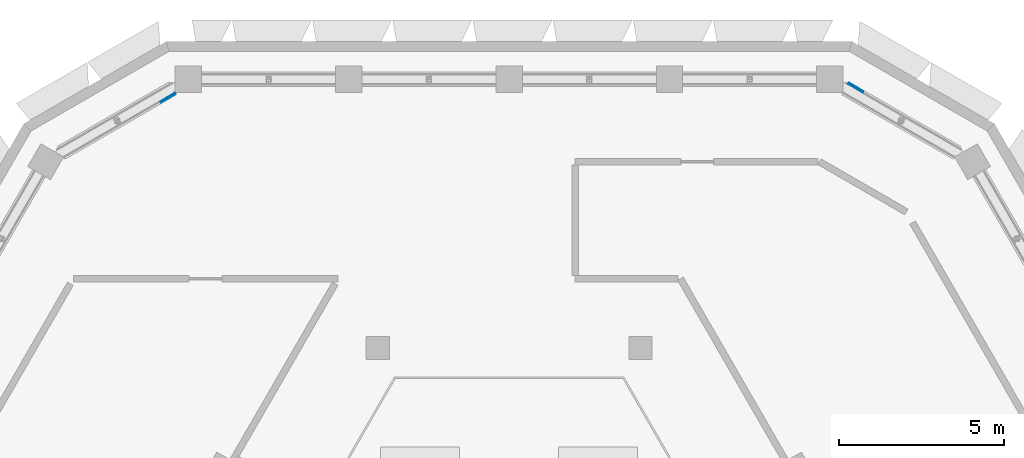
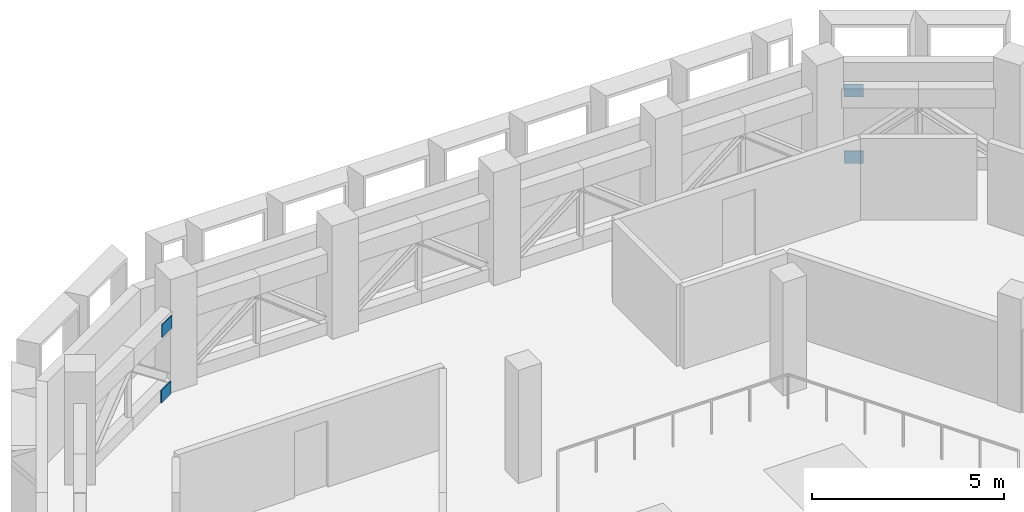
# One storey, part 16 of 24: 4 discrete accessories.
"""IFC4 building model written with IfcOpenShell, lengths in metres."""

from ifc_helpers import new_model, si_unit, direction, frame, origin, origin_2d, place, context, subcontext, project, spatial, rectangle, extrude, material, type_object, element, save


model = new_model("IFC4")

# Units and contexts
model_context = context("Model", 3, precision=1e-05, world=origin(), true_north=direction((0.0, 1.0)))
body_context = subcontext(model_context, "Body", "Model", "MODEL_VIEW")
ifc_project = project(units=[si_unit("LENGTHUNIT", "METRE"), si_unit("AREAUNIT", "SQUARE_METRE"), si_unit("VOLUMEUNIT", "CUBIC_METRE"), si_unit("PLANEANGLEUNIT", "RADIAN"), si_unit("MASSUNIT", "GRAM", prefix="KILO")], contexts=[model_context])

# Site, building, storey
site_placement = place(None, origin())
site = spatial("IfcSite", under=ifc_project, at=site_placement, CompositionType="ELEMENT")
building_placement = place(site_placement, origin())
building = spatial("IfcBuilding", under=site, at=building_placement, Name="Beryl Residences", CompositionType="ELEMENT")
storey_placement = place(building_placement, frame((0.0, 0.0, 199.199951171875)))
storey = spatial("IfcBuildingStorey", under=building, at=storey_placement, Name="L61", CompositionType="ELEMENT", Elevation=199.199951171875)

# Discrete accessories
ifc_material = material(Name="Steel S355", Category="steel")
discrete_accessory_type = type_object("IfcDiscreteAccessoryType", Name="GP1 chord end gusset plate 500 x 400 x 25 mm", PredefinedType="BRACKET", material=ifc_material)
for number, where, z_axis, x_axis, name in (
    (1, (-10.3369140625, 22.48193359375, 2.10009765625), (0.0, 0.0, 1.0), (-0.866019295067, -0.500010580459, 0.0), "GP1 gusset plate L61 Ta N-4"),
    (2, (-10.35009765625, 22.5029296875, 0.0), (0.0, 0.0, 1.0), (-0.866019295067, -0.500010580459, 0.0), "GP1 gusset plate L61 Ba N-4"),
    (3, (10.52490234375, 22.805908203125, 2.10009765625), (0.0, 0.0, 1.0), (0.866019295067, -0.500010580459, 0.0), "GP1 gusset plate L61 Tb NE-4"),
    (4, (10.511962890625, 22.784912109375, 0.0), (0.0, 0.0, 1.0), (0.866019295067, -0.500010580459, 0.0), "GP1 gusset plate L61 Bb NE-4"),
):
    element("IfcDiscreteAccessory", number, at=place(storey_placement, frame(where, z_axis=z_axis, x_axis=x_axis)), inside=storey, type_object=discrete_accessory_type, Name=name, PredefinedType="BRACKET", context=body_context, shape_type="SweptSolid", body=[
        extrude(rectangle(XDim=0.5, YDim=0.02490234375, at=origin_2d()), origin(), (0.0, 0.0, 1.0), 0.39990234375),
    ])

save(model, "model.ifc")
